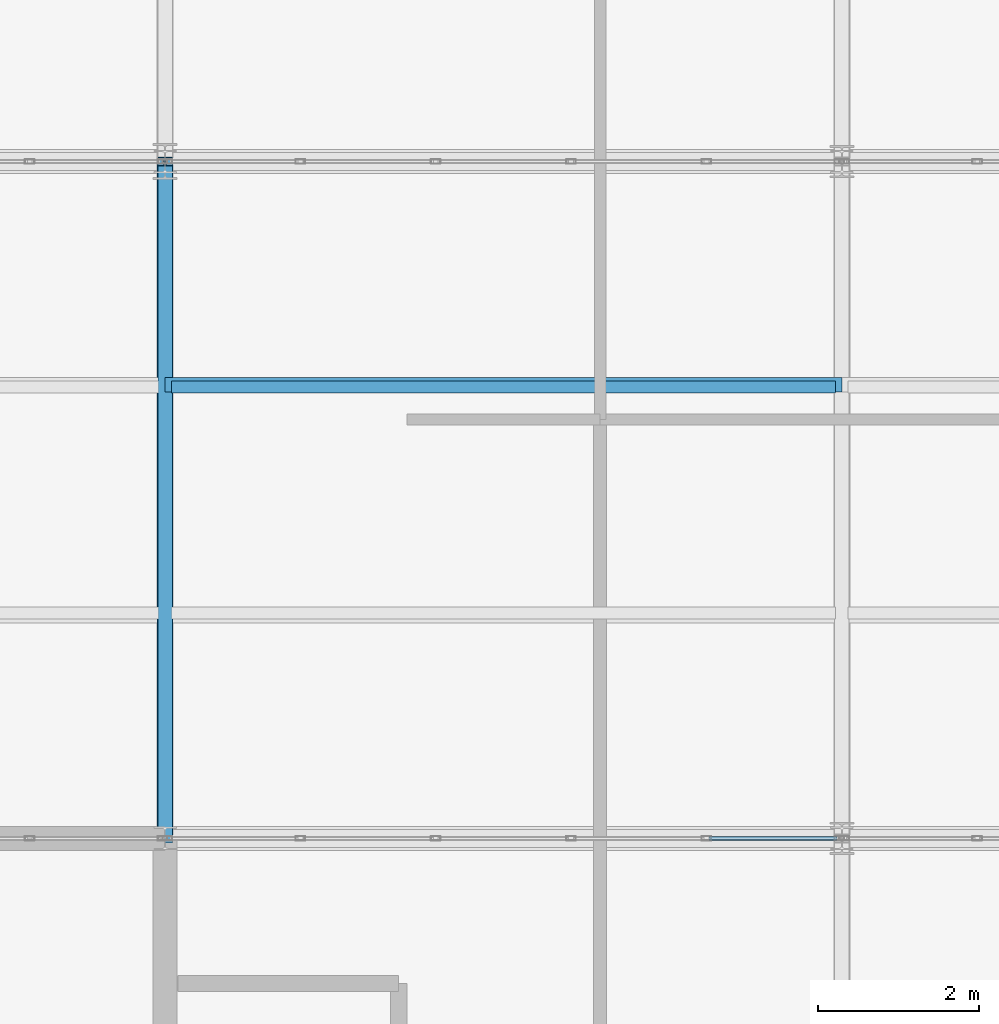
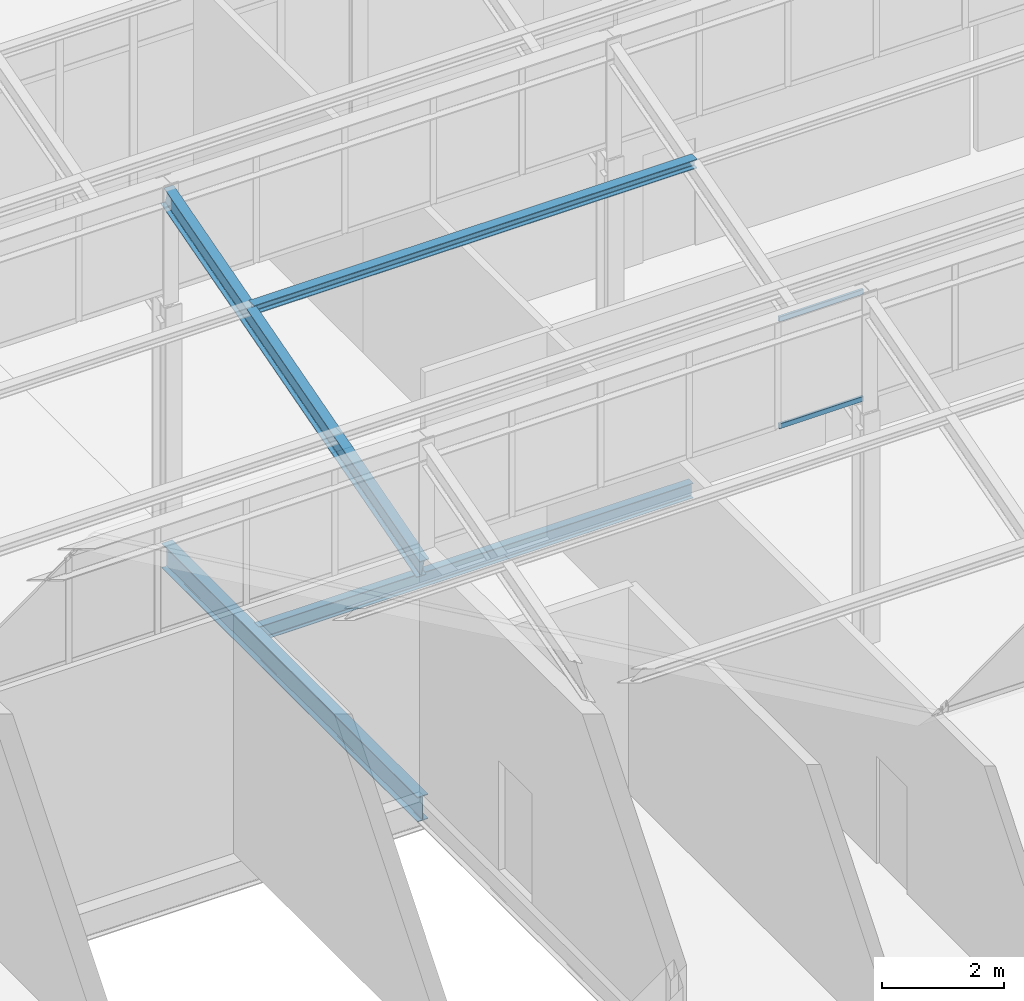
# One storey, part 23 of 53: 3 beams, 3 members, 1 element without a shape of its own.
"""IFC4 building model written with IfcOpenShell, lengths in metres."""

from ifc_helpers import new_model, si_unit, direction, frame, origin, origin_2d, place, context, subcontext, project, spatial, hollow_rectangle, i_section, extrude, material, layer, layer_set, material_profile, profile_set, type_object, element, aggregate, save


model = new_model("IFC4")

# Units and contexts
model_context = context("Model", 3, precision=1e-05, world=origin(), true_north=direction((0.0, 1.0)))
body_context = subcontext(model_context, "Body", "Model", "MODEL_VIEW")
ifc_project = project(units=[si_unit("LENGTHUNIT", "METRE"), si_unit("AREAUNIT", "SQUARE_METRE"), si_unit("VOLUMEUNIT", "CUBIC_METRE"), si_unit("PLANEANGLEUNIT", "RADIAN"), si_unit("MASSUNIT", "GRAM", prefix="KILO")], contexts=[model_context])

# Site, building, storey
site_placement = place(None, origin())
site = spatial("IfcSite", under=ifc_project, at=site_placement, CompositionType="ELEMENT")
building_placement = place(site_placement, origin())
building = spatial("IfcBuilding", under=site, at=building_placement, Name="Qalvenar Corner Mobility Hub", CompositionType="ELEMENT")
storey_placement = place(building_placement, frame((0.0, 0.0, 26.39990234375)))
storey = spatial("IfcBuildingStorey", under=building, at=storey_placement, Name="L06", CompositionType="ELEMENT", Elevation=26.39990234375)

# Beams
ifc_material_1 = material(Name="Steel S355", Category="steel")
ifc_material_profile_1 = material_profile(ifc_material_1, i_section(OverallWidth=0.179931640625, OverallDepth=0.39990234375, WebThickness=0.008544921875, FlangeThickness=0.013427734375, FilletRadius=0.02099609375, at=origin_2d()), Name="IPE400")
ifc_profile_set_1 = profile_set([ifc_material_profile_1], Name="Steel S355")
beam_type_1 = type_object("IfcBeamType", Name="BM-IPE400", PredefinedType="BEAM", material=ifc_profile_set_1)
beam_1_placement = place(storey_placement, frame((16.800048828125, 16.800048828125, 4.340087890625), z_axis=(0.0, 0.96152605678, 0.274713745804), x_axis=(-1.0, 0.0, 0.0)))
element("IfcBeam", 1, at=beam_1_placement, inside=storey, type_object=beam_type_1, Name="Sawtooth Rafter V3RF-3-3", PredefinedType="BEAM", context=body_context, shape_type="SweptSolid", body=[
    extrude(i_section(OverallWidth=0.179931640625, OverallDepth=0.39990234375, WebThickness=0.008544921875, FlangeThickness=0.013427734375, FilletRadius=0.02099609375, at=origin_2d()), origin(), (0.0, 0.0, 1.0), 8.736083984375),
])
ifc_material_profile_2 = material_profile(ifc_material_1, i_section(OverallWidth=0.199951171875, OverallDepth=0.5, WebThickness=0.01025390625, FlangeThickness=0.01611328125, FilletRadius=0.02099609375, at=origin_2d()), Name="IPE500")
ifc_profile_set_2 = profile_set([ifc_material_profile_2], Name="Steel S355")
beam_type_2 = type_object("IfcBeamType", Name="BM-IPE500", PredefinedType="BEAM", material=ifc_profile_set_2)
beam_2_placement = place(storey_placement, frame((16.800048828125, 16.800048828125, -0.469970703125), z_axis=(0.0, 1.0, 0.0), x_axis=(-1.0, 0.0, 0.0)))
element("IfcBeam", 2, at=beam_2_placement, inside=storey, type_object=beam_type_2, Name="Primary Steel Girder GY-3087", PredefinedType="BEAM", context=body_context, shape_type="SweptSolid", body=[
    extrude(i_section(OverallWidth=0.199951171875, OverallDepth=0.5, WebThickness=0.01025390625, FlangeThickness=0.01611328125, FilletRadius=0.02099609375, at=origin_2d()), origin(), (0.0, 0.0, 1.0), 8.39990234375),
])
ifc_material_profile_3 = material_profile(ifc_material_1, i_section(OverallWidth=0.14990234375, OverallDepth=0.300048828125, WebThickness=0.007080078125, FlangeThickness=0.0107421875, FilletRadius=0.014892578125, at=origin_2d()), Name="IPE300")
ifc_profile_set_3 = profile_set([ifc_material_profile_3], Name="Steel S355")
beam_type_3 = type_object("IfcBeamType", Name="BM-JST300", PredefinedType="JOIST", material=ifc_profile_set_3)
beam_3_placement = place(storey_placement, frame((16.8779296875, 22.39990234375, -0.369873046875), z_axis=(1.0, 0.0, 0.0), x_axis=(0.0, 1.0, 0.0)))
element("IfcBeam", 3, at=beam_3_placement, inside=storey, type_object=beam_type_3, Name="Composite Floor Joist J-3121", PredefinedType="JOIST", context=body_context, shape_type="SweptSolid", body=[
    extrude(i_section(OverallWidth=0.14990234375, OverallDepth=0.300048828125, WebThickness=0.007080078125, FlangeThickness=0.0107421875, FilletRadius=0.014892578125, at=origin_2d()), origin(), (0.0, 0.0, 1.0), 8.244140625),
])

# Curtain wall, members
ifc_material_2 = material(Name="Anodised Aluminium and Low-E Glazing", Category="aluminium")
ifc_layer = layer(ifc_material_2, 0.1201171875)
ifc_layer_set = layer_set([ifc_layer], Name="Anodised Aluminium and Low-E Glazing")
curtain_wall_type = type_object("IfcCurtainWallType", Name="CW-CLR-84X24", PredefinedType="NOTDEFINED", material=ifc_layer_set)
curtain_wall_placement = place(storey_placement, origin())
curtain_wall = element("IfcCurtainWall", 4, at=curtain_wall_placement, inside=storey, type_object=curtain_wall_type, Name="Glazed Curtain Wall CW-V3-SAW-2-2", PredefinedType="NOTDEFINED")
ifc_material_3 = material(Name="Anodised Aluminium 6063-T6", Category="aluminium")
ifc_material_profile_4 = material_profile(ifc_material_3, hollow_rectangle(XDim=0.050048828125, YDim=0.10009765625, WallThickness=0.0029296875, InnerFilletRadius=0.0029296875, OuterFilletRadius=0.006103515625, at=origin_2d()), Name="RHS100x50x3")
ifc_profile_set_4 = profile_set([ifc_material_profile_4], Name="Anodised Aluminium 6063-T6")
member_type_1 = type_object("IfcMemberType", Name="CW-TRN100", PredefinedType="USERDEFINED", material=ifc_profile_set_4)
member_1_placement = place(storey_placement, frame((25.139892578125, 16.800048828125, 4.82763671875), z_axis=(-1.0, 0.0, 0.0), x_axis=(0.0, -1.0, 0.0)))
member_1 = element("IfcMember", 5, at=member_1_placement, type_object=member_type_1, Name="CW-12 transom 1.1", ObjectType="TRANSOM", PredefinedType="USERDEFINED", context=body_context, shape_type="SweptSolid", body=[
    extrude(hollow_rectangle(XDim=0.050048828125, YDim=0.10009765625, WallThickness=0.0029296875, InnerFilletRadius=0.0029296875, OuterFilletRadius=0.006103515625, at=origin_2d()), origin(), (0.0, 0.0, 1.0), 1.58984375),
])
member_2_placement = place(storey_placement, frame((25.139892578125, 16.800048828125, 6.97265625), z_axis=(-1.0, 0.0, 0.0), x_axis=(0.0, -1.0, 0.0)))
member_2 = element("IfcMember", 6, at=member_2_placement, type_object=member_type_1, Name="CW-12 transom 1.2", ObjectType="TRANSOM", PredefinedType="USERDEFINED", context=body_context, shape_type="SweptSolid", body=[
    extrude(hollow_rectangle(XDim=0.050048828125, YDim=0.10009765625, WallThickness=0.0029296875, InnerFilletRadius=0.0029296875, OuterFilletRadius=0.006103515625, at=origin_2d()), origin(), (0.0, 0.0, 1.0), 1.58984375),
])
aggregate(curtain_wall, [member_1, member_2])

# Member
ifc_material_profile_5 = material_profile(ifc_material_1, i_section(OverallWidth=0.179931640625, OverallDepth=0.179931640625, WebThickness=0.008544921875, FlangeThickness=0.013916015625, FilletRadius=0.014892578125, at=origin_2d()), Name="HEB180")
ifc_profile_set_5 = profile_set([ifc_material_profile_5], Name="Steel S355")
member_type_2 = type_object("IfcMemberType", Name="PR-RHS180", PredefinedType="PURLIN", material=ifc_profile_set_5)
member_3_placement = place(storey_placement, frame((16.800048828125, 22.427978515625, 6.148193359375), z_axis=(1.0, 0.0, 0.0), x_axis=(0.0, 1.0, 0.0)))
element("IfcMember", 7, at=member_3_placement, inside=storey, type_object=member_type_2, Name="Sawtooth Roof Purlin PR-V3-3-3-67", PredefinedType="PURLIN", context=body_context, shape_type="SweptSolid", body=[
    extrude(i_section(OverallWidth=0.179931640625, OverallDepth=0.179931640625, WebThickness=0.008544921875, FlangeThickness=0.013916015625, FilletRadius=0.014892578125, at=origin_2d()), origin(), (0.0, 0.0, 1.0), 8.39990234375),
])

save(model, "model.ifc")
